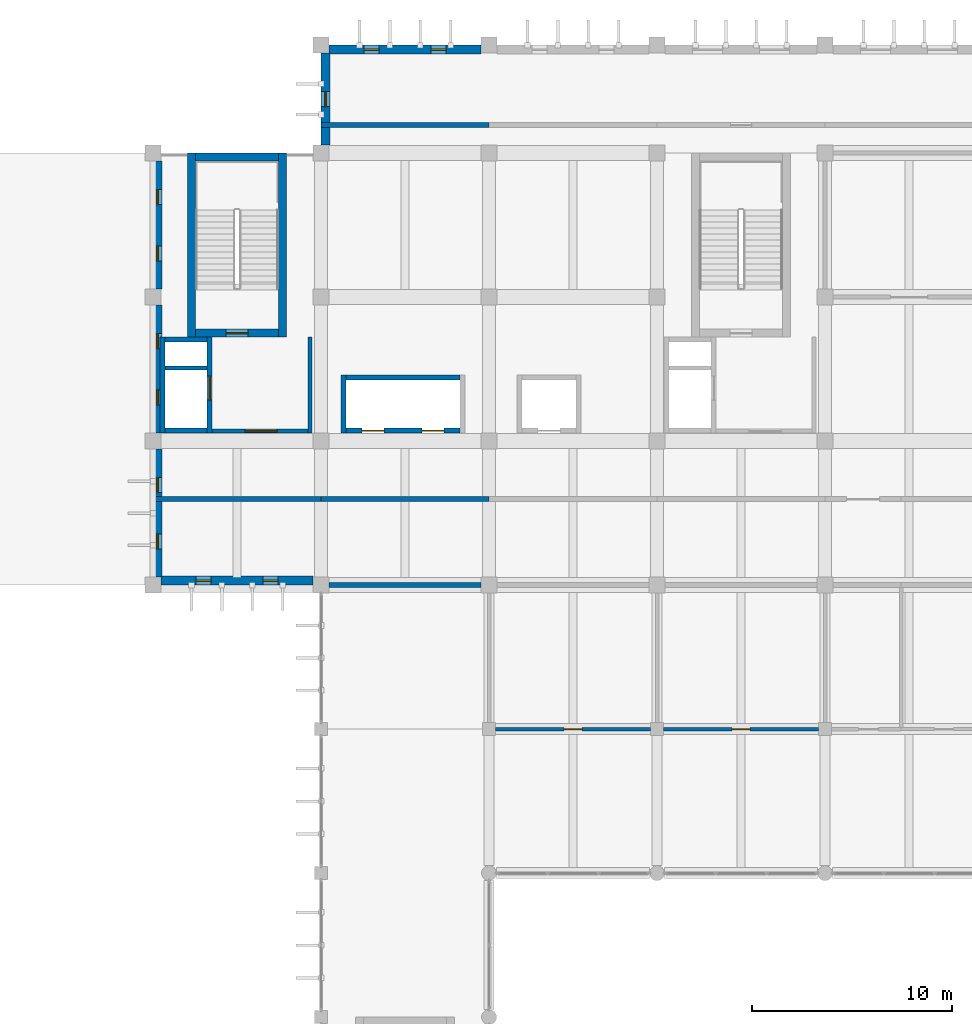
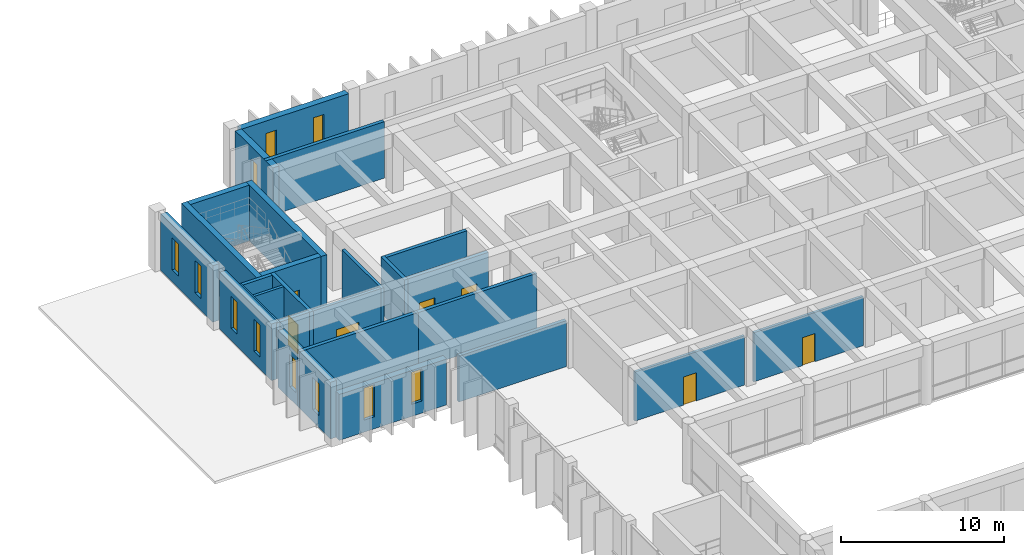
# One storey, part 28 of 40: 26 walls, 11 windows, 7 doors, 18 openings.
"""IFC4 building model written with IfcOpenShell, lengths in metres."""

from ifc_helpers import new_model, si_unit, direction, frame, frame_2d, origin, place, context, subcontext, project, spatial, rectangle, extrude, material, layer, layer_set, type_object, element, fill, save


model = new_model("IFC4")

# Units and contexts
model_context = context("Model", 3, precision=1e-05, world=origin(), true_north=direction((0.0, 1.0)))
body_context = subcontext(model_context, "Body", "Model", "MODEL_VIEW")
ifc_project = project(units=[si_unit("LENGTHUNIT", "METRE"), si_unit("AREAUNIT", "SQUARE_METRE"), si_unit("VOLUMEUNIT", "CUBIC_METRE"), si_unit("PLANEANGLEUNIT", "RADIAN"), si_unit("MASSUNIT", "GRAM", prefix="KILO")], contexts=[model_context])

# Site, building, storey
site_placement = place(None, origin())
site = spatial("IfcSite", under=ifc_project, at=site_placement, CompositionType="ELEMENT")
building_placement = place(site_placement, origin())
building = spatial("IfcBuilding", under=site, at=building_placement, Name="Kenerak Square Central Library", CompositionType="ELEMENT")
storey_placement = place(building_placement, frame((0.0, 0.0, 14.39990234375)))
storey = spatial("IfcBuildingStorey", under=building, at=storey_placement, Name="L03", CompositionType="ELEMENT", Elevation=14.39990234375)

# Walls
ifc_material_1 = material(Name="Concrete C40/50", Category="concrete")
ifc_layer_1 = layer(ifc_material_1, 0.25)
ifc_layer_set_1 = layer_set([ifc_layer_1], Name="Concrete C40/50")
wall_type_1 = type_object("IfcWallType", Name="Archive Compartment Wall IW-250 C40/50", PredefinedType="SOLIDWALL", material=ifc_layer_set_1)
wall_1_placement = place(storey_placement, frame((58.39990234375, 93.10009765625, 0.0), z_axis=(0.0, 0.0, 1.0), x_axis=(1.0, 0.0, 0.0)))
element("IfcWall", 1, at=wall_1_placement, inside=storey, type_object=wall_type_1, Name="Interior Wall IW-L03-06-N2-B1", PredefinedType="SOLIDWALL", context=body_context, shape_type="SweptSolid", body=[
    extrude(rectangle(XDim=8.400146484375, YDim=0.25, at=frame_2d((4.2001953125, 0.0))), origin(), (0.0, 0.0, 1.0), 4.22998046875),
])
for number, where, z_axis, x_axis, name in (
    (2, (66.800048828125, 93.10009765625, 0.0), (0.0, 0.0, 1.0), (1.0, 0.0, 0.0), "Interior Wall IW-L03-06-N2-B2"),
    (3, (75.199951171875, 111.800048828125, 0.0), (0.0, 0.0, 1.0), (-1.0, 0.0, 0.0), "Interior Wall IW-L03-07-S1-B5"),
):
    element("IfcWall", number, at=place(storey_placement, frame(where, z_axis=z_axis, x_axis=x_axis)), inside=storey, type_object=wall_type_1, Name=name, PredefinedType="SOLIDWALL", context=body_context, shape_type="SweptSolid", body=[
        extrude(rectangle(XDim=8.39990234375, YDim=0.25, at=frame_2d((4.199951171875, 0.0))), origin(), (0.0, 0.0, 1.0), 4.22998046875),
    ])
wall_2_placement = place(storey_placement, frame((74.800048828125, 88.800048828125, 0.0), z_axis=(0.0, 0.0, 1.0), x_axis=(-1.0, 0.0, 0.0)))
element("IfcWall", 4, at=wall_2_placement, inside=storey, type_object=wall_type_1, Name="Interior Wall IW-L03-06-S1-B7", PredefinedType="SOLIDWALL", context=body_context, shape_type="SweptSolid", body=[
    extrude(rectangle(XDim=7.60009765625, YDim=0.25, at=frame_2d((3.800048828125, 0.0))), origin(), (0.0, 0.0, 1.0), 3.43017578125),
])
ifc_layer_2 = layer(ifc_material_1, 0.39990234375)
ifc_layer_set_2 = layer_set([ifc_layer_2], Name="Concrete C40/50")
wall_type_2 = type_object("IfcWallType", Name="Core Shear Wall CW-400 C40/50", PredefinedType="SHEAR", material=ifc_layer_set_2)
for number, where, z_axis, x_axis, name in (
    (5, (60.320068359375, 101.199951171875, 0.0), (0.0, 0.0, 1.0), (0.0, 1.0, 0.0), "Core Wall CW-C1 L03 West"),
    (6, (64.8798828125, 110.39990234375, 0.0), (0.0, 0.0, 1.0), (0.0, -1.0, 0.0), "Core Wall CW-C1 L03 East"),
):
    element("IfcWall", number, at=place(storey_placement, frame(where, z_axis=z_axis, x_axis=x_axis)), inside=storey, type_object=wall_type_2, Name=name, PredefinedType="SHEAR", context=body_context, shape_type="SweptSolid", body=[
        extrude(rectangle(XDim=9.199951171875, YDim=0.39990234375, at=frame_2d((4.60009765625, 0.0))), origin(), (0.0, 0.0, 1.0), 4.18017578125),
    ])

# Wall, opening, door
wall_3_placement = place(storey_placement, frame((64.679931640625, 101.39990234375, 0.0), z_axis=(0.0, 0.0, 1.0), x_axis=(-1.0, 0.0, 0.0)))
wall_3 = element("IfcWall", 7, at=wall_3_placement, inside=storey, type_object=wall_type_2, Name="Core Wall CW-C1 L03 South", PredefinedType="SHEAR", context=body_context, shape_type="SweptSolid", body=[
    extrude(rectangle(XDim=4.159912109375, YDim=0.39990234375, at=frame_2d((2.080078125, 0.0))), origin(), (0.0, 0.0, 1.0), 4.18017578125),
])
opening_1_placement = place(wall_3_placement, frame((1.530029296875, 0.0, 0.0)))
opening_1 = element("IfcOpeningElement", 8, at=opening_1_placement, cuts=wall_3, Name="Opening D-ST1", PredefinedType="OPENING", context=body_context, shape_type="SweptSolid", body=[
    extrude(rectangle(XDim=1.10009765625, YDim=2.199951171875, at=frame_2d((0.550048828125, 1.10009765625))), frame((0.0, 0.2099609375, 0.0), z_axis=(0.0, -1.0, 0.0), x_axis=(1.0, 0.0, 0.0)), (0.0, 0.0, 1.0), 0.419921875),
])
ifc_material_2 = material(Name="Steel S355", Category="steel")
door_type_1 = type_object("IfcDoorType", Name="Protected Stair Fire Door FD-1100x2200 FD60S", OperationType="NOTDEFINED", PredefinedType="DOOR", material=ifc_material_2)
door_1_placement = place(opening_1_placement, frame((1.10009765625, 0.0, 0.0), z_axis=(0.0, 0.0, 1.0), x_axis=(-1.0, 0.0, 0.0)))
door_1 = element("IfcDoor", 9, at=door_1_placement, inside=storey, type_object=door_type_1, Name="Stair Door ST-01 L03", OperationType="SINGLE_SWING_LEFT", OverallHeight=2.199951171875, OverallWidth=1.10009765625, PredefinedType="DOOR", context=body_context, shape_type="SweptSolid", body=[
    extrude(rectangle(XDim=1.10009765625, YDim=2.199951171875, at=frame_2d((0.550048828125, 1.10009765625))), frame((0.0, 0.02490234375, 0.0), z_axis=(0.0, -1.0, 0.0), x_axis=(1.0, 0.0, 0.0)), (0.0, 0.0, 1.0), 0.050048828125),
])
fill(opening_1, door_1)

# Walls
wall_4_placement = place(storey_placement, frame((60.52001953125, 110.199951171875, 0.0), z_axis=(0.0, 0.0, 1.0), x_axis=(1.0, 0.0, 0.0)))
element("IfcWall", 10, at=wall_4_placement, inside=storey, type_object=wall_type_2, Name="Core Wall CW-C1 L03 North", PredefinedType="SHEAR", context=body_context, shape_type="SweptSolid", body=[
    extrude(rectangle(XDim=4.159912109375, YDim=0.39990234375, at=frame_2d((2.080078125, 0.0))), origin(), (0.0, 0.0, 1.0), 4.18017578125),
])
ifc_layer_3 = layer(ifc_material_1, 0.199951171875)
ifc_layer_set_3 = layer_set([ifc_layer_3], Name="Concrete C40/50")
wall_type_3 = type_object("IfcWallType", Name="Lobby Compartment Wall LW-200 C40/50", PredefinedType="SOLIDWALL", material=ifc_layer_set_3)
wall_5_placement = place(storey_placement, frame((59.0, 99.64990234375, 0.0), z_axis=(0.0, 0.0, 1.0), x_axis=(1.0, 0.0, 0.0)))
element("IfcWall", 11, at=wall_5_placement, inside=storey, type_object=wall_type_3, Name="Riser Divider Wall C1 L03", PredefinedType="SOLIDWALL", context=body_context, shape_type="SweptSolid", body=[
    extrude(rectangle(XDim=2.10009765625, YDim=0.199951171875, at=frame_2d((1.050048828125, 0.0))), origin(), (0.0, 0.0, 1.0), 4.18017578125),
])
wall_6_placement = place(storey_placement, frame((66.25, 101.199951171875, 0.0), z_axis=(0.0, 0.0, 1.0), x_axis=(0.0, -1.0, 0.0)))
element("IfcWall", 12, at=wall_6_placement, inside=storey, type_object=wall_type_3, Name="Firefighting Lobby East Wall C1 L03", PredefinedType="SOLIDWALL", context=body_context, shape_type="SweptSolid", body=[
    extrude(rectangle(XDim=4.800048828125, YDim=0.199951171875, at=frame_2d((2.39990234375, 0.0))), origin(), (0.0, 0.0, 1.0), 4.18017578125),
])

# Wall, opening, door
wall_7_placement = place(storey_placement, frame((66.14990234375, 96.5, 0.0), z_axis=(0.0, 0.0, 1.0), x_axis=(-1.0, 0.0, 0.0)))
wall_7 = element("IfcWall", 13, at=wall_7_placement, inside=storey, type_object=wall_type_3, Name="Firefighting Lobby South Wall C1 L03", PredefinedType="SOLIDWALL", context=body_context, shape_type="SweptSolid", body=[
    extrude(rectangle(XDim=4.7998046875, YDim=0.199951171875, at=frame_2d((2.39990234375, 0.0))), origin(), (0.0, 0.0, 1.0), 4.18017578125),
])
opening_2_placement = place(wall_7_placement, frame((1.550048828125, 0.0, 0.0)))
opening_2 = element("IfcOpeningElement", 14, at=opening_2_placement, cuts=wall_7, Name="Opening D-FFL", PredefinedType="OPENING", context=body_context, shape_type="SweptSolid", body=[
    extrude(rectangle(XDim=1.60009765625, YDim=2.199951171875, at=frame_2d((0.800048828125, 1.10009765625))), frame((0.0, 0.10986328125, 0.0), z_axis=(0.0, -1.0, 0.0), x_axis=(1.0, 0.0, 0.0)), (0.0, 0.0, 1.0), 0.219970703125),
])
door_type_2 = type_object("IfcDoorType", Name="Firefighting Lobby Double Door FD-1600x2200 FD60S", OperationType="NOTDEFINED", PredefinedType="DOOR", material=ifc_material_2)
door_2_placement = place(opening_2_placement, frame((1.60009765625, 0.0, 0.0), z_axis=(0.0, 0.0, 1.0), x_axis=(-1.0, 0.0, 0.0)))
door_2 = element("IfcDoor", 15, at=door_2_placement, inside=storey, type_object=door_type_2, Name="Firefighting Lobby Door C1 L03", OperationType="DOUBLE_DOOR_SINGLE_SWING", OverallHeight=2.199951171875, OverallWidth=1.60009765625, PredefinedType="DOOR", context=body_context, shape_type="SweptSolid", body=[
    extrude(rectangle(XDim=1.60009765625, YDim=2.199951171875, at=frame_2d((0.800048828125, 1.10009765625))), frame((0.0, 0.02490234375, 0.0), z_axis=(0.0, -1.0, 0.0), x_axis=(1.0, 0.0, 0.0)), (0.0, 0.0, 1.0), 0.050048828125),
])
fill(opening_2, door_2)

# Wall, openings, windows
ifc_layer_4 = layer(ifc_material_1, 0.449951171875)
ifc_layer_set_4 = layer_set([ifc_layer_4], Name="Concrete C40/50")
wall_type_4 = type_object("IfcWallType", Name="Rare-Books Vault Exterior Wall VW-450 C40/50", PredefinedType="SOLIDWALL", material=ifc_layer_set_4)
wall_8_placement = place(storey_placement, frame((66.39990234375, 89.02490234375, 0.0), z_axis=(0.0, 0.0, 1.0), x_axis=(-1.0, 0.0, 0.0)))
wall_8 = element("IfcWall", 16, at=wall_8_placement, inside=storey, type_object=wall_type_4, Name="Exterior Facade Wall L03 0195", PredefinedType="SOLIDWALL", context=body_context, shape_type="SweptSolid", body=[
    extrude(rectangle(XDim=7.599853515625, YDim=0.449951171875, at=frame_2d((3.7998046875, 0.0))), origin(), (0.0, 0.0, 1.0), 3.43017578125),
])
opening_3_placement = place(wall_8_placement, frame((1.7529296875, 0.0, 0.89990234375)))
opening_3 = element("IfcOpeningElement", 17, at=opening_3_placement, cuts=wall_8, Name="Opening W-02", PredefinedType="OPENING", context=body_context, shape_type="SweptSolid", body=[
    extrude(rectangle(XDim=0.75, YDim=2.39990234375, at=frame_2d((0.375, 1.199951171875))), frame((0.0, 0.23486328125, 0.0), z_axis=(0.0, -1.0, 0.0), x_axis=(1.0, 0.0, 0.0)), (0.0, 0.0, 1.0), 0.469970703125),
])
opening_4_placement = place(wall_8_placement, frame((5.096923828125, 0.0, 0.89990234375)))
opening_4 = element("IfcOpeningElement", 18, at=opening_4_placement, cuts=wall_8, Name="Opening W-02", PredefinedType="OPENING", context=body_context, shape_type="SweptSolid", body=[
    extrude(rectangle(XDim=0.75, YDim=2.39990234375, at=frame_2d((0.375, 1.199951171875))), frame((0.0, 0.23486328125, 0.0), z_axis=(0.0, -1.0, 0.0), x_axis=(1.0, 0.0, 0.0)), (0.0, 0.0, 1.0), 0.469970703125),
])
ifc_material_3 = material(Name="Solar-control low-E laminated double glazing", Category="glass")
window_type = type_object("IfcWindowType", Name="Archive Narrow Slot Window W-02 750x2400", PartitioningType="SINGLE_PANEL", PredefinedType="WINDOW", material=ifc_material_3)
window_1_placement = place(opening_3_placement, origin())
window_1 = element("IfcWindow", 19, at=window_1_placement, inside=storey, type_object=window_type, Name="Window W-02 L03 0202", OverallHeight=2.39990234375, OverallWidth=0.75, PartitioningType="SINGLE_PANEL", PredefinedType="WINDOW", context=body_context, shape_type="SweptSolid", body=[
    extrude(rectangle(XDim=0.75, YDim=2.39990234375, at=frame_2d((0.375, 1.199951171875))), frame((0.0, 0.030029296875, 0.0), z_axis=(0.0, -1.0, 0.0), x_axis=(1.0, 0.0, 0.0)), (0.0, 0.0, 1.0), 0.06005859375),
])
fill(opening_3, window_1)
window_2_placement = place(opening_4_placement, origin())
window_2 = element("IfcWindow", 20, at=window_2_placement, inside=storey, type_object=window_type, Name="Window W-02 L03 0203", OverallHeight=2.39990234375, OverallWidth=0.75, PartitioningType="SINGLE_PANEL", PredefinedType="WINDOW", context=body_context, shape_type="SweptSolid", body=[
    extrude(rectangle(XDim=0.75, YDim=2.39990234375, at=frame_2d((0.375, 1.199951171875))), frame((0.0, 0.030029296875, 0.0), z_axis=(0.0, -1.0, 0.0), x_axis=(1.0, 0.0, 0.0)), (0.0, 0.0, 1.0), 0.06005859375),
])
fill(opening_4, window_2)

wall_9_placement = place(storey_placement, frame((58.625, 89.199951171875, 0.0), z_axis=(0.0, 0.0, 1.0), x_axis=(0.0, 1.0, 0.0)))
wall_9 = element("IfcWall", 21, at=wall_9_placement, inside=storey, type_object=wall_type_4, Name="Exterior Facade Wall L03 0196", PredefinedType="SOLIDWALL", context=body_context, shape_type="SweptSolid", body=[
    extrude(rectangle(XDim=6.400146484375, YDim=0.449951171875, at=frame_2d((3.2001953125, 0.0))), origin(), (0.0, 0.0, 1.0), 4.22998046875),
])
opening_5_placement = place(wall_9_placement, frame((1.4169921875, 0.0, 0.89990234375)))
opening_5 = element("IfcOpeningElement", 22, at=opening_5_placement, cuts=wall_9, Name="Opening W-02", PredefinedType="OPENING", context=body_context, shape_type="SweptSolid", body=[
    extrude(rectangle(XDim=0.75, YDim=2.39990234375, at=frame_2d((0.375, 1.199951171875))), frame((0.0, 0.23486328125, 0.0), z_axis=(0.0, -1.0, 0.0), x_axis=(1.0, 0.0, 0.0)), (0.0, 0.0, 1.0), 0.469970703125),
])
opening_6_placement = place(wall_9_placement, frame((4.23291015625, 0.0, 0.89990234375)))
opening_6 = element("IfcOpeningElement", 23, at=opening_6_placement, cuts=wall_9, Name="Opening W-02", PredefinedType="OPENING", context=body_context, shape_type="SweptSolid", body=[
    extrude(rectangle(XDim=0.75, YDim=2.39990234375, at=frame_2d((0.375, 1.199951171875))), frame((0.0, 0.23486328125, 0.0), z_axis=(0.0, -1.0, 0.0), x_axis=(1.0, 0.0, 0.0)), (0.0, 0.0, 1.0), 0.469970703125),
])
window_3_placement = place(opening_5_placement, origin())
window_3 = element("IfcWindow", 24, at=window_3_placement, inside=storey, type_object=window_type, Name="Window W-02 L03 0204", OverallHeight=2.39990234375, OverallWidth=0.75, PartitioningType="SINGLE_PANEL", PredefinedType="WINDOW", context=body_context, shape_type="SweptSolid", body=[
    extrude(rectangle(XDim=0.75, YDim=2.39990234375, at=frame_2d((0.375, 1.199951171875))), frame((0.0, 0.030029296875, 0.0), z_axis=(0.0, -1.0, 0.0), x_axis=(1.0, 0.0, 0.0)), (0.0, 0.0, 1.0), 0.06005859375),
])
fill(opening_5, window_3)
window_4_placement = place(opening_6_placement, origin())
window_4 = element("IfcWindow", 25, at=window_4_placement, inside=storey, type_object=window_type, Name="Window W-02 L03 0205", OverallHeight=2.39990234375, OverallWidth=0.75, PartitioningType="SINGLE_PANEL", PredefinedType="WINDOW", context=body_context, shape_type="SweptSolid", body=[
    extrude(rectangle(XDim=0.75, YDim=2.39990234375, at=frame_2d((0.375, 1.199951171875))), frame((0.0, 0.030029296875, 0.0), z_axis=(0.0, -1.0, 0.0), x_axis=(1.0, 0.0, 0.0)), (0.0, 0.0, 1.0), 0.06005859375),
])
fill(opening_6, window_4)

wall_10_placement = place(storey_placement, frame((58.625, 96.39990234375, 0.0), z_axis=(0.0, 0.0, 1.0), x_axis=(0.0, 1.0, 0.0)))
wall_10 = element("IfcWall", 26, at=wall_10_placement, inside=storey, type_object=wall_type_4, Name="Exterior Facade Wall L03 0197", PredefinedType="SOLIDWALL", context=body_context, shape_type="SweptSolid", body=[
    extrude(rectangle(XDim=6.400146484375, YDim=0.449951171875, at=frame_2d((3.2001953125, 0.0))), origin(), (0.0, 0.0, 1.0), 4.22998046875),
])
opening_7_placement = place(wall_10_placement, frame((1.4169921875, 0.0, 0.89990234375)))
opening_7 = element("IfcOpeningElement", 27, at=opening_7_placement, cuts=wall_10, Name="Opening W-02", PredefinedType="OPENING", context=body_context, shape_type="SweptSolid", body=[
    extrude(rectangle(XDim=0.75, YDim=2.39990234375, at=frame_2d((0.375, 1.199951171875))), frame((0.0, 0.23486328125, 0.0), z_axis=(0.0, -1.0, 0.0), x_axis=(1.0, 0.0, 0.0)), (0.0, 0.0, 1.0), 0.469970703125),
])
opening_8_placement = place(wall_10_placement, frame((4.23291015625, 0.0, 0.89990234375)))
opening_8 = element("IfcOpeningElement", 28, at=opening_8_placement, cuts=wall_10, Name="Opening W-02", PredefinedType="OPENING", context=body_context, shape_type="SweptSolid", body=[
    extrude(rectangle(XDim=0.75, YDim=2.39990234375, at=frame_2d((0.375, 1.199951171875))), frame((0.0, 0.23486328125, 0.0), z_axis=(0.0, -1.0, 0.0), x_axis=(1.0, 0.0, 0.0)), (0.0, 0.0, 1.0), 0.469970703125),
])
window_5_placement = place(opening_7_placement, origin())
window_5 = element("IfcWindow", 29, at=window_5_placement, inside=storey, type_object=window_type, Name="Window W-02 L03 0206", OverallHeight=2.39990234375, OverallWidth=0.75, PartitioningType="SINGLE_PANEL", PredefinedType="WINDOW", context=body_context, shape_type="SweptSolid", body=[
    extrude(rectangle(XDim=0.75, YDim=2.39990234375, at=frame_2d((0.375, 1.199951171875))), frame((0.0, 0.030029296875, 0.0), z_axis=(0.0, -1.0, 0.0), x_axis=(1.0, 0.0, 0.0)), (0.0, 0.0, 1.0), 0.06005859375),
])
fill(opening_7, window_5)
window_6_placement = place(opening_8_placement, origin())
window_6 = element("IfcWindow", 30, at=window_6_placement, inside=storey, type_object=window_type, Name="Window W-02 L03 0207", OverallHeight=2.39990234375, OverallWidth=0.75, PartitioningType="SINGLE_PANEL", PredefinedType="WINDOW", context=body_context, shape_type="SweptSolid", body=[
    extrude(rectangle(XDim=0.75, YDim=2.39990234375, at=frame_2d((0.375, 1.199951171875))), frame((0.0, 0.030029296875, 0.0), z_axis=(0.0, -1.0, 0.0), x_axis=(1.0, 0.0, 0.0)), (0.0, 0.0, 1.0), 0.06005859375),
])
fill(opening_8, window_6)

wall_11_placement = place(storey_placement, frame((58.625, 103.60009765625, 0.0), z_axis=(0.0, 0.0, 1.0), x_axis=(0.0, 1.0, 0.0)))
wall_11 = element("IfcWall", 31, at=wall_11_placement, inside=storey, type_object=wall_type_4, Name="Exterior Facade Wall L03 0198", PredefinedType="SOLIDWALL", context=body_context, shape_type="SweptSolid", body=[
    extrude(rectangle(XDim=6.39990234375, YDim=0.449951171875, at=frame_2d((3.199951171875, 0.0))), origin(), (0.0, 0.0, 1.0), 4.22998046875),
])
opening_9_placement = place(wall_11_placement, frame((1.4169921875, 0.0, 0.89990234375)))
opening_9 = element("IfcOpeningElement", 32, at=opening_9_placement, cuts=wall_11, Name="Opening W-02", PredefinedType="OPENING", context=body_context, shape_type="SweptSolid", body=[
    extrude(rectangle(XDim=0.75, YDim=2.39990234375, at=frame_2d((0.375, 1.199951171875))), frame((0.0, 0.23486328125, 0.0), z_axis=(0.0, -1.0, 0.0), x_axis=(1.0, 0.0, 0.0)), (0.0, 0.0, 1.0), 0.469970703125),
])
opening_10_placement = place(wall_11_placement, frame((4.23291015625, 0.0, 0.89990234375)))
opening_10 = element("IfcOpeningElement", 33, at=opening_10_placement, cuts=wall_11, Name="Opening W-02", PredefinedType="OPENING", context=body_context, shape_type="SweptSolid", body=[
    extrude(rectangle(XDim=0.75, YDim=2.39990234375, at=frame_2d((0.375, 1.199951171875))), frame((0.0, 0.23486328125, 0.0), z_axis=(0.0, -1.0, 0.0), x_axis=(1.0, 0.0, 0.0)), (0.0, 0.0, 1.0), 0.469970703125),
])
window_7_placement = place(opening_9_placement, origin())
window_7 = element("IfcWindow", 34, at=window_7_placement, inside=storey, type_object=window_type, Name="Window W-02 L03 0208", OverallHeight=2.39990234375, OverallWidth=0.75, PartitioningType="SINGLE_PANEL", PredefinedType="WINDOW", context=body_context, shape_type="SweptSolid", body=[
    extrude(rectangle(XDim=0.75, YDim=2.39990234375, at=frame_2d((0.375, 1.199951171875))), frame((0.0, 0.030029296875, 0.0), z_axis=(0.0, -1.0, 0.0), x_axis=(1.0, 0.0, 0.0)), (0.0, 0.0, 1.0), 0.06005859375),
])
fill(opening_9, window_7)
window_8_placement = place(opening_10_placement, origin())
window_8 = element("IfcWindow", 35, at=window_8_placement, inside=storey, type_object=window_type, Name="Window W-02 L03 0209", OverallHeight=2.39990234375, OverallWidth=0.75, PartitioningType="SINGLE_PANEL", PredefinedType="WINDOW", context=body_context, shape_type="SweptSolid", body=[
    extrude(rectangle(XDim=0.75, YDim=2.39990234375, at=frame_2d((0.375, 1.199951171875))), frame((0.0, 0.030029296875, 0.0), z_axis=(0.0, -1.0, 0.0), x_axis=(1.0, 0.0, 0.0)), (0.0, 0.0, 1.0), 0.06005859375),
])
fill(opening_10, window_8)

# Wall, opening, window
wall_12_placement = place(storey_placement, frame((67.02490234375, 110.800048828125, 0.0), z_axis=(0.0, 0.0, 1.0), x_axis=(0.0, 1.0, 0.0)))
wall_12 = element("IfcWall", 36, at=wall_12_placement, inside=storey, type_object=wall_type_4, Name="Exterior Facade Wall L03 0199", PredefinedType="SOLIDWALL", context=body_context, shape_type="SweptSolid", body=[
    extrude(rectangle(XDim=4.599853515625, YDim=0.449951171875, at=frame_2d((2.2998046875, 0.0))), origin(), (0.0, 0.0, 1.0), 4.22998046875),
])
opening_11_placement = place(wall_12_placement, frame((1.925048828125, 0.0, 0.89990234375)))
opening_11 = element("IfcOpeningElement", 37, at=opening_11_placement, cuts=wall_12, Name="Opening W-02", PredefinedType="OPENING", context=body_context, shape_type="SweptSolid", body=[
    extrude(rectangle(XDim=0.75, YDim=2.39990234375, at=frame_2d((0.375, 1.199951171875))), frame((0.0, 0.23486328125, 0.0), z_axis=(0.0, -1.0, 0.0), x_axis=(1.0, 0.0, 0.0)), (0.0, 0.0, 1.0), 0.469970703125),
])
window_9_placement = place(opening_11_placement, origin())
window_9 = element("IfcWindow", 38, at=window_9_placement, inside=storey, type_object=window_type, Name="Window W-02 L03 0210", OverallHeight=2.39990234375, OverallWidth=0.75, PartitioningType="SINGLE_PANEL", PredefinedType="WINDOW", context=body_context, shape_type="SweptSolid", body=[
    extrude(rectangle(XDim=0.75, YDim=2.39990234375, at=frame_2d((0.375, 1.199951171875))), frame((0.0, 0.030029296875, 0.0), z_axis=(0.0, -1.0, 0.0), x_axis=(1.0, 0.0, 0.0)), (0.0, 0.0, 1.0), 0.06005859375),
])
fill(opening_11, window_9)

# Wall, openings, windows
wall_13_placement = place(storey_placement, frame((67.199951171875, 115.574951171875, 0.0), z_axis=(0.0, 0.0, 1.0), x_axis=(1.0, 0.0, 0.0)))
wall_13 = element("IfcWall", 39, at=wall_13_placement, inside=storey, type_object=wall_type_4, Name="Exterior Facade Wall L03 0200", PredefinedType="SOLIDWALL", context=body_context, shape_type="SweptSolid", body=[
    extrude(rectangle(XDim=7.60009765625, YDim=0.449951171875, at=frame_2d((3.800048828125, 0.0))), origin(), (0.0, 0.0, 1.0), 4.22998046875),
])
opening_12_placement = place(wall_13_placement, frame((1.7529296875, 0.0, 0.89990234375)))
opening_12 = element("IfcOpeningElement", 40, at=opening_12_placement, cuts=wall_13, Name="Opening W-02", PredefinedType="OPENING", context=body_context, shape_type="SweptSolid", body=[
    extrude(rectangle(XDim=0.75, YDim=2.39990234375, at=frame_2d((0.375, 1.199951171875))), frame((0.0, 0.23486328125, 0.0), z_axis=(0.0, -1.0, 0.0), x_axis=(1.0, 0.0, 0.0)), (0.0, 0.0, 1.0), 0.469970703125),
])
opening_13_placement = place(wall_13_placement, frame((5.096923828125, 0.0, 0.89990234375)))
opening_13 = element("IfcOpeningElement", 41, at=opening_13_placement, cuts=wall_13, Name="Opening W-02", PredefinedType="OPENING", context=body_context, shape_type="SweptSolid", body=[
    extrude(rectangle(XDim=0.75, YDim=2.39990234375, at=frame_2d((0.375, 1.199951171875))), frame((0.0, 0.23486328125, 0.0), z_axis=(0.0, -1.0, 0.0), x_axis=(1.0, 0.0, 0.0)), (0.0, 0.0, 1.0), 0.469970703125),
])
window_10_placement = place(opening_12_placement, origin())
window_10 = element("IfcWindow", 42, at=window_10_placement, inside=storey, type_object=window_type, Name="Window W-02 L03 0211", OverallHeight=2.39990234375, OverallWidth=0.75, PartitioningType="SINGLE_PANEL", PredefinedType="WINDOW", context=body_context, shape_type="SweptSolid", body=[
    extrude(rectangle(XDim=0.75, YDim=2.39990234375, at=frame_2d((0.375, 1.199951171875))), frame((0.0, 0.030029296875, 0.0), z_axis=(0.0, -1.0, 0.0), x_axis=(1.0, 0.0, 0.0)), (0.0, 0.0, 1.0), 0.06005859375),
])
fill(opening_12, window_10)
window_11_placement = place(opening_13_placement, origin())
window_11 = element("IfcWindow", 43, at=window_11_placement, inside=storey, type_object=window_type, Name="Window W-02 L03 0212", OverallHeight=2.39990234375, OverallWidth=0.75, PartitioningType="SINGLE_PANEL", PredefinedType="WINDOW", context=body_context, shape_type="SweptSolid", body=[
    extrude(rectangle(XDim=0.75, YDim=2.39990234375, at=frame_2d((0.375, 1.199951171875))), frame((0.0, 0.030029296875, 0.0), z_axis=(0.0, -1.0, 0.0), x_axis=(1.0, 0.0, 0.0)), (0.0, 0.0, 1.0), 0.06005859375),
])
fill(opening_13, window_11)

# Wall, opening, door
ifc_material_4 = material(Name="Precast concrete C40/50", Category="concrete")
ifc_layer_5 = layer(ifc_material_4, 0.175048828125)
ifc_layer_set_5 = layer_set([ifc_layer_5], Name="Precast concrete C40/50")
wall_type_5 = type_object("IfcWallType", Name="Sanitary Plumbing Chase Wall IW-175 C40/50", PredefinedType="PLUMBINGWALL", material=ifc_layer_set_5)
wall_14_placement = place(storey_placement, frame((83.27490234375, 81.60009765625, 0.0), z_axis=(0.0, 0.0, 1.0), x_axis=(-1.0, 0.0, 0.0)))
wall_14 = element("IfcWall", 44, at=wall_14_placement, inside=storey, type_object=wall_type_5, Name="Interior Wall IW-L03-09-S1-B1", PredefinedType="PLUMBINGWALL", context=body_context, shape_type="SweptSolid", body=[
    extrude(rectangle(XDim=7.75, YDim=0.175048828125, at=frame_2d((3.875, 0.0))), origin(), (0.0, 0.0, 1.0), 3.68017578125),
])
opening_14_placement = place(wall_14_placement, frame((3.425048828125, 0.0, 0.0)))
opening_14 = element("IfcOpeningElement", 45, at=opening_14_placement, cuts=wall_14, Name="Opening ID-01", PredefinedType="OPENING", context=body_context, shape_type="SweptSolid", body=[
    extrude(rectangle(XDim=0.89990234375, YDim=2.10009765625, at=frame_2d((0.449951171875, 1.050048828125))), frame((0.0, 0.097412109375, 0.0), z_axis=(0.0, -1.0, 0.0), x_axis=(1.0, 0.0, 0.0)), (0.0, 0.0, 1.0), 0.195068359375),
])
ifc_material_5 = material(Name="Chengal hardwood timber SG1", Category="wood")
door_type_3 = type_object("IfcDoorType", Name="Restroom Single Door ID-900x2100", OperationType="NOTDEFINED", PredefinedType="DOOR", material=ifc_material_5)
door_3_placement = place(opening_14_placement, origin())
door_3 = element("IfcDoor", 46, at=door_3_placement, inside=storey, type_object=door_type_3, Name="Level 03 Male Restroom Door", OperationType="SINGLE_SWING_LEFT", OverallHeight=2.10009765625, OverallWidth=0.89990234375, PredefinedType="DOOR", context=body_context, shape_type="SweptSolid", body=[
    extrude(rectangle(XDim=0.89990234375, YDim=2.10009765625, at=frame_2d((0.449951171875, 1.050048828125))), frame((0.0, 0.02490234375, 0.0), z_axis=(0.0, -1.0, 0.0), x_axis=(1.0, 0.0, 0.0)), (0.0, 0.0, 1.0), 0.050048828125),
])
fill(opening_14, door_3)

wall_15_placement = place(storey_placement, frame((91.675048828125, 81.60009765625, 0.0), z_axis=(0.0, 0.0, 1.0), x_axis=(-1.0, 0.0, 0.0)))
wall_15 = element("IfcWall", 47, at=wall_15_placement, inside=storey, type_object=wall_type_5, Name="Interior Wall IW-L03-10-S1-B1", PredefinedType="PLUMBINGWALL", context=body_context, shape_type="SweptSolid", body=[
    extrude(rectangle(XDim=7.75, YDim=0.175048828125, at=frame_2d((3.875, 0.0))), origin(), (0.0, 0.0, 1.0), 3.68017578125),
])
opening_15_placement = place(wall_15_placement, frame((3.425048828125, 0.0, 0.0)))
opening_15 = element("IfcOpeningElement", 48, at=opening_15_placement, cuts=wall_15, Name="Opening ID-01", PredefinedType="OPENING", context=body_context, shape_type="SweptSolid", body=[
    extrude(rectangle(XDim=0.89990234375, YDim=2.10009765625, at=frame_2d((0.449951171875, 1.050048828125))), frame((0.0, 0.097412109375, 0.0), z_axis=(0.0, -1.0, 0.0), x_axis=(1.0, 0.0, 0.0)), (0.0, 0.0, 1.0), 0.195068359375),
])
door_4_placement = place(opening_15_placement, origin())
door_4 = element("IfcDoor", 49, at=door_4_placement, inside=storey, type_object=door_type_3, Name="Level 03 Female Restroom Door", OperationType="SINGLE_SWING_RIGHT", OverallHeight=2.10009765625, OverallWidth=0.89990234375, PredefinedType="DOOR", context=body_context, shape_type="SweptSolid", body=[
    extrude(rectangle(XDim=0.89990234375, YDim=2.10009765625, at=frame_2d((0.449951171875, 1.050048828125))), frame((0.0, 0.02490234375, 0.0), z_axis=(0.0, -1.0, 0.0), x_axis=(1.0, 0.0, 0.0)), (0.0, 0.0, 1.0), 0.050048828125),
])
fill(opening_15, door_4)

# Wall
ifc_layer_6 = layer(ifc_material_1, 0.25)
ifc_layer_set_6 = layer_set([ifc_layer_6], Name="Concrete C40/50")
wall_type_6 = type_object("IfcWallType", Name="Shaft Enclosure Wall SW-250 C40/50", PredefinedType="SOLIDWALL", material=ifc_layer_set_6)
wall_16_placement = place(storey_placement, frame((58.875, 96.39990234375, 0.0), z_axis=(0.0, 0.0, 1.0), x_axis=(0.0, 1.0, 0.0)))
element("IfcWall", 50, at=wall_16_placement, inside=storey, type_object=wall_type_6, Name="Core Wall FLW-C1 L03 West", PredefinedType="SOLIDWALL", context=body_context, shape_type="SweptSolid", body=[
    extrude(rectangle(XDim=4.800048828125, YDim=0.25, at=frame_2d((2.39990234375, 0.0))), origin(), (0.0, 0.0, 1.0), 4.18017578125),
])

# Wall, opening, door
wall_17_placement = place(storey_placement, frame((61.22509765625, 101.199951171875, 0.0), z_axis=(0.0, 0.0, 1.0), x_axis=(0.0, -1.0, 0.0)))
wall_17 = element("IfcWall", 51, at=wall_17_placement, inside=storey, type_object=wall_type_6, Name="Core Wall FLW-C1 L03 East", PredefinedType="SOLIDWALL", context=body_context, shape_type="SweptSolid", body=[
    extrude(rectangle(XDim=4.800048828125, YDim=0.25, at=frame_2d((2.39990234375, 0.0))), origin(), (0.0, 0.0, 1.0), 4.18017578125),
])
opening_16_placement = place(wall_17_placement, frame((1.949951171875, 0.0, 0.0)))
opening_16 = element("IfcOpeningElement", 52, at=opening_16_placement, cuts=wall_17, Name="Opening LD-FL", PredefinedType="OPENING", context=body_context, shape_type="SweptSolid", body=[
    extrude(rectangle(XDim=1.199951171875, YDim=2.199951171875, at=frame_2d((0.60009765625, 1.10009765625))), frame((0.0, 0.135009765625, 0.0), z_axis=(0.0, -1.0, 0.0), x_axis=(1.0, 0.0, 0.0)), (0.0, 0.0, 1.0), 0.27001953125),
])
door_type_4 = type_object("IfcDoorType", Name="Firefighting Lift Sliding Landing Door LD-1200x2200 FD120S", OperationType="NOTDEFINED", PredefinedType="DOOR", material=ifc_material_2)
door_5_placement = place(opening_16_placement, origin())
door_5 = element("IfcDoor", 53, at=door_5_placement, inside=storey, type_object=door_type_4, Name="Firefighting Lift Landing Door FL-01 L03", OperationType="SLIDING_TO_LEFT", OverallHeight=2.199951171875, OverallWidth=1.199951171875, PredefinedType="DOOR", context=body_context, shape_type="SweptSolid", body=[
    extrude(rectangle(XDim=1.199951171875, YDim=2.199951171875, at=frame_2d((0.60009765625, 1.10009765625))), frame((0.0, 0.02490234375, 0.0), z_axis=(0.0, -1.0, 0.0), x_axis=(1.0, 0.0, 0.0)), (0.0, 0.0, 1.0), 0.050048828125),
])
fill(opening_16, door_5)

# Walls
for number, where, z_axis, x_axis, name in (
    (54, (61.10009765625, 96.52490234375, 0.0), (0.0, 0.0, 1.0), (-1.0, 0.0, 0.0), "Core Wall FLW-C1 L03 South"),
    (55, (59.0, 101.074951171875, 0.0), (0.0, 0.0, 1.0), (1.0, 0.0, 0.0), "Core Wall FLW-C1 L03 North"),
):
    element("IfcWall", number, at=place(storey_placement, frame(where, z_axis=z_axis, x_axis=x_axis)), inside=storey, type_object=wall_type_6, Name=name, PredefinedType="SOLIDWALL", context=body_context, shape_type="SweptSolid", body=[
        extrude(rectangle(XDim=2.10009765625, YDim=0.25, at=frame_2d((1.050048828125, 0.0))), origin(), (0.0, 0.0, 1.0), 4.18017578125),
    ])
wall_18_placement = place(storey_placement, frame((67.925048828125, 96.39990234375, 0.0), z_axis=(0.0, 0.0, 1.0), x_axis=(0.0, 1.0, 0.0)))
element("IfcWall", 56, at=wall_18_placement, inside=storey, type_object=wall_type_6, Name="Core Wall PLBANKW L03 West", PredefinedType="SOLIDWALL", context=body_context, shape_type="SweptSolid", body=[
    extrude(rectangle(XDim=2.900146484375, YDim=0.25, at=frame_2d((1.4501953125, 0.0))), origin(), (0.0, 0.0, 1.0), 4.22998046875),
])

# Wall, openings, doors
wall_19_placement = place(storey_placement, frame((73.75, 96.52490234375, 0.0), z_axis=(0.0, 0.0, 1.0), x_axis=(-1.0, 0.0, 0.0)))
wall_19 = element("IfcWall", 57, at=wall_19_placement, inside=storey, type_object=wall_type_6, Name="Core Wall PLBANKW L03 South", PredefinedType="SOLIDWALL", context=body_context, shape_type="SweptSolid", body=[
    extrude(rectangle(XDim=5.699951171875, YDim=0.25, at=frame_2d((2.85009765625, 0.0))), origin(), (0.0, 0.0, 1.0), 4.22998046875),
])
opening_17_placement = place(wall_19_placement, frame((3.800048828125, 0.0, 0.0)))
opening_17 = element("IfcOpeningElement", 58, at=opening_17_placement, cuts=wall_19, Name="Opening LD-PL", PredefinedType="OPENING", context=body_context, shape_type="SweptSolid", body=[
    extrude(rectangle(XDim=1.10009765625, YDim=2.14990234375, at=frame_2d((0.550048828125, 1.074951171875))), frame((0.0, 0.135009765625, 0.0), z_axis=(0.0, -1.0, 0.0), x_axis=(1.0, 0.0, 0.0)), (0.0, 0.0, 1.0), 0.27001953125),
])
opening_18_placement = place(wall_19_placement, frame((0.800048828125, 0.0, 0.0)))
opening_18 = element("IfcOpeningElement", 59, at=opening_18_placement, cuts=wall_19, Name="Opening LD-PL", PredefinedType="OPENING", context=body_context, shape_type="SweptSolid", body=[
    extrude(rectangle(XDim=1.10009765625, YDim=2.14990234375, at=frame_2d((0.550048828125, 1.074951171875))), frame((0.0, 0.135009765625, 0.0), z_axis=(0.0, -1.0, 0.0), x_axis=(1.0, 0.0, 0.0)), (0.0, 0.0, 1.0), 0.27001953125),
])
door_type_5 = type_object("IfcDoorType", Name="Passenger Lift Sliding Landing Door LD-1100x2150", OperationType="NOTDEFINED", PredefinedType="DOOR", material=ifc_material_2)
door_6_placement = place(opening_17_placement, origin())
door_6 = element("IfcDoor", 60, at=door_6_placement, inside=storey, type_object=door_type_5, Name="Passenger Lift Landing Door PL-01 L03", OperationType="SLIDING_TO_RIGHT", OverallHeight=2.14990234375, OverallWidth=1.10009765625, PredefinedType="DOOR", context=body_context, shape_type="SweptSolid", body=[
    extrude(rectangle(XDim=1.10009765625, YDim=2.14990234375, at=frame_2d((0.550048828125, 1.074951171875))), frame((0.0, 0.02490234375, 0.0), z_axis=(0.0, -1.0, 0.0), x_axis=(1.0, 0.0, 0.0)), (0.0, 0.0, 1.0), 0.050048828125),
])
fill(opening_17, door_6)
door_7_placement = place(opening_18_placement, origin())
door_7 = element("IfcDoor", 61, at=door_7_placement, inside=storey, type_object=door_type_5, Name="Passenger Lift Landing Door PL-02 L03", OperationType="SLIDING_TO_RIGHT", OverallHeight=2.14990234375, OverallWidth=1.10009765625, PredefinedType="DOOR", context=body_context, shape_type="SweptSolid", body=[
    extrude(rectangle(XDim=1.10009765625, YDim=2.14990234375, at=frame_2d((0.550048828125, 1.074951171875))), frame((0.0, 0.02490234375, 0.0), z_axis=(0.0, -1.0, 0.0), x_axis=(1.0, 0.0, 0.0)), (0.0, 0.0, 1.0), 0.050048828125),
])
fill(opening_18, door_7)

# Wall
wall_20_placement = place(storey_placement, frame((68.050048828125, 99.175048828125, 0.0), z_axis=(0.0, 0.0, 1.0), x_axis=(1.0, 0.0, 0.0)))
element("IfcWall", 62, at=wall_20_placement, inside=storey, type_object=wall_type_6, Name="Core Wall PLBANKW L03 North", PredefinedType="SOLIDWALL", context=body_context, shape_type="SweptSolid", body=[
    extrude(rectangle(XDim=5.699951171875, YDim=0.25, at=frame_2d((2.85009765625, 0.0))), origin(), (0.0, 0.0, 1.0), 4.22998046875),
])

save(model, "model.ifc")
